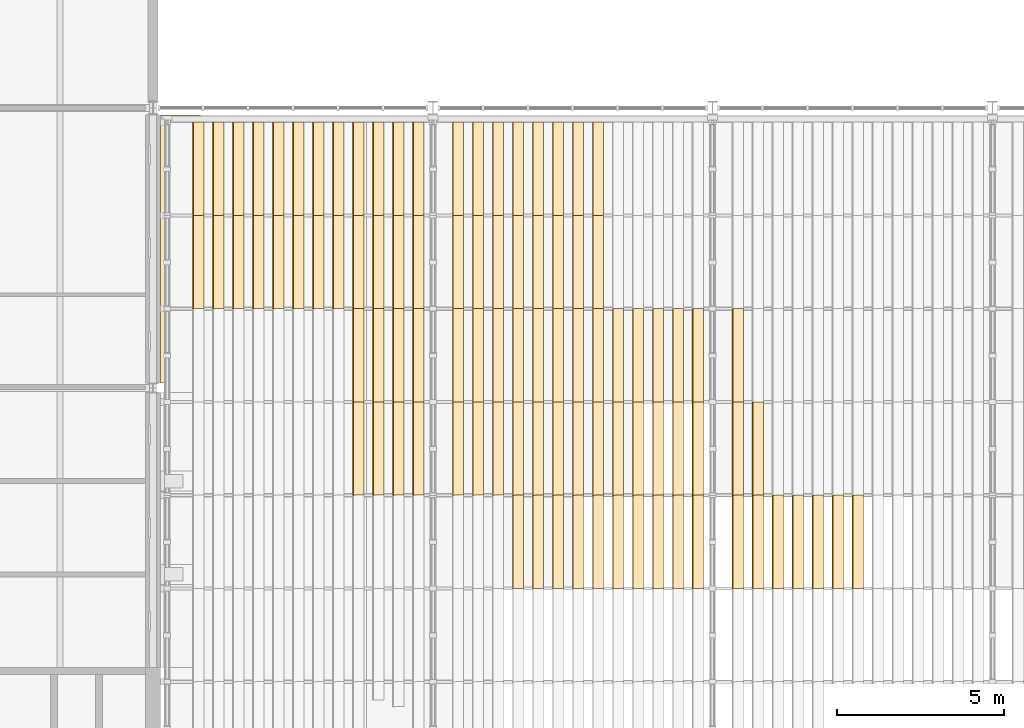
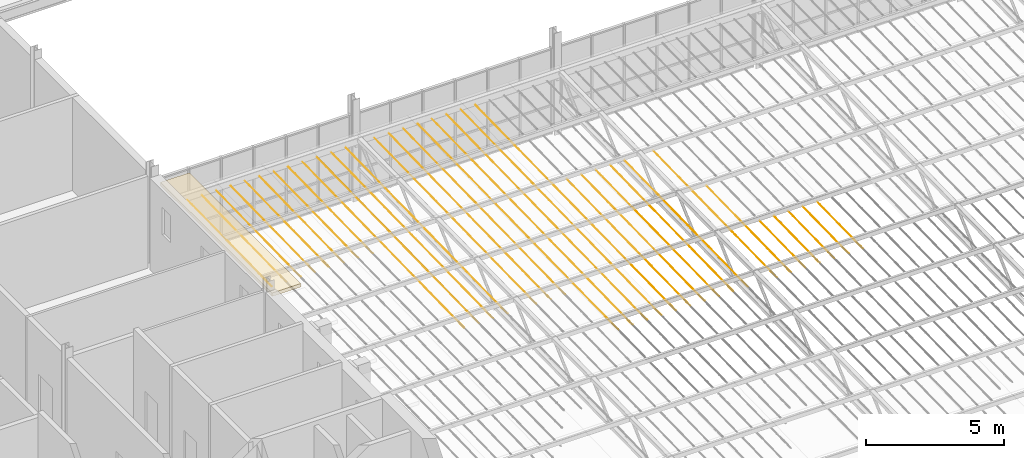
# One storey, part 118 of 129: 95 coverings.
"""IFC4 building model written with IfcOpenShell, lengths in metres."""

from ifc_helpers import new_model, si_unit, direction, frame, origin, origin_2d, place, context, subcontext, project, spatial, polyline, rectangle, outline, extrude, material, layer, layer_set, material_profile, profile_set, type_object, element, save


model = new_model("IFC4")

# Units and contexts
model_context = context("Model", 3, precision=1e-05, world=origin(), true_north=direction((0.0, 1.0)))
body_context = subcontext(model_context, "Body", "Model", "MODEL_VIEW")
ifc_project = project(units=[si_unit("LENGTHUNIT", "METRE"), si_unit("AREAUNIT", "SQUARE_METRE"), si_unit("VOLUMEUNIT", "CUBIC_METRE"), si_unit("PLANEANGLEUNIT", "RADIAN"), si_unit("MASSUNIT", "GRAM", prefix="KILO")], contexts=[model_context])

# Site, building, storey
site_placement = place(None, origin())
site = spatial("IfcSite", under=ifc_project, at=site_placement, CompositionType="ELEMENT")
building_placement = place(site_placement, origin())
building = spatial("IfcBuilding", under=site, at=building_placement, Name="Ardhachandra Cancer Care Centre", CompositionType="ELEMENT")
storey_placement = place(building_placement, frame((0.0, 0.0, 4.5)))
storey = spatial("IfcBuildingStorey", under=building, at=storey_placement, Name="L01", CompositionType="ELEMENT", Elevation=4.5)

# Coverings
ifc_material_1 = material(Name="Anodised aluminium", Category="aluminium")
ifc_material_profile = material_profile(ifc_material_1, outline(polyline([(-0.01220703125, 0.0), (0.01220703125, 0.0), (0.327392578125, -0.449951171875), (0.302978515625, -0.449951171875), (-0.01220703125, 0.0)])), Name="Louvre fin 450")
ifc_profile_set = profile_set([ifc_material_profile], Name="Anodised aluminium")
covering_type_1 = type_object("IfcCoveringType", Name="Louvre fin 450", PredefinedType="CLADDING", material=ifc_profile_set)
for number, where, z_axis, x_axis, name in (
    (1, (45.60009765625, 54.175048828125, 2.743408203125), (0.0, -0.999800721691, -0.019962888244), (1.0, 0.0, 0.0), "Louvre fin 2-1"),
    (2, (45.60009765625, 51.375, 2.6875), (0.0, -0.999800721691, -0.019962888244), (1.0, 0.0, 0.0), "Louvre fin 2-2"),
    (3, (46.199951171875, 54.175048828125, 2.743408203125), (0.0, -0.999800721691, -0.019962888244), (1.0, 0.0, 0.0), "Louvre fin 3-1"),
    (4, (46.199951171875, 51.375, 2.6875), (0.0, -0.999800721691, -0.019962888244), (1.0, 0.0, 0.0), "Louvre fin 3-2"),
    (5, (46.800048828125, 54.175048828125, 2.743408203125), (0.0, -0.999800721691, -0.019962888244), (1.0, 0.0, 0.0), "Louvre fin 4-1"),
    (6, (46.800048828125, 51.375, 2.6875), (0.0, -0.999800721691, -0.019962888244), (1.0, 0.0, 0.0), "Louvre fin 4-2"),
    (7, (47.39990234375, 54.175048828125, 2.743408203125), (0.0, -0.999800721691, -0.019962888244), (1.0, 0.0, 0.0), "Louvre fin 5-1"),
    (8, (47.39990234375, 51.375, 2.6875), (0.0, -0.999800721691, -0.019962888244), (1.0, 0.0, 0.0), "Louvre fin 5-2"),
    (9, (48.0, 54.175048828125, 2.743408203125), (0.0, -0.999800721691, -0.019962888244), (1.0, 0.0, 0.0), "Louvre fin 6-1"),
    (10, (48.0, 51.375, 2.6875), (0.0, -0.999800721691, -0.019962888244), (1.0, 0.0, 0.0), "Louvre fin 6-2"),
    (11, (48.60009765625, 54.175048828125, 2.743408203125), (0.0, -0.999800721691, -0.019962888244), (1.0, 0.0, 0.0), "Louvre fin 7-1"),
    (12, (48.60009765625, 51.375, 2.6875), (0.0, -0.999800721691, -0.019962888244), (1.0, 0.0, 0.0), "Louvre fin 7-2"),
    (13, (49.199951171875, 54.175048828125, 2.743408203125), (0.0, -0.999800721691, -0.019962888244), (1.0, 0.0, 0.0), "Louvre fin 8-1"),
    (14, (49.199951171875, 51.375, 2.6875), (0.0, -0.999800721691, -0.019962888244), (1.0, 0.0, 0.0), "Louvre fin 8-2"),
    (15, (49.800048828125, 54.175048828125, 2.743408203125), (0.0, -0.999800721691, -0.019962888244), (1.0, 0.0, 0.0), "Louvre fin 9-1"),
    (16, (49.800048828125, 51.375, 2.6875), (0.0, -0.999800721691, -0.019962888244), (1.0, 0.0, 0.0), "Louvre fin 9-2"),
    (17, (50.39990234375, 54.175048828125, 2.743408203125), (0.0, -0.999800721691, -0.019962888244), (1.0, 0.0, 0.0), "Louvre fin 10-1"),
    (18, (50.39990234375, 51.375, 2.6875), (0.0, -0.999800721691, -0.019962888244), (1.0, 0.0, 0.0), "Louvre fin 10-2"),
    (19, (50.39990234375, 48.574951171875, 2.631591796875), (0.0, -0.999798977995, -0.02005002746), (1.0, 0.0, 0.0), "Louvre fin 10-3"),
):
    element("IfcCovering", number, at=place(storey_placement, frame(where, z_axis=z_axis, x_axis=x_axis)), inside=storey, type_object=covering_type_1, Name=name, PredefinedType="CLADDING", context=body_context, shape_type="SweptSolid", body=[
        extrude(outline(polyline([(-0.01220703125, 0.0), (0.01220703125, 0.0), (0.327392578125, -0.449951171875), (0.302978515625, -0.449951171875), (-0.01220703125, 0.0)])), origin(), (0.0, 0.0, 1.0), 2.800537109375),
    ])
covering_1_placement = place(storey_placement, frame((50.39990234375, 45.77490234375, 2.575439453125), z_axis=(0.0, -0.999800686946, -0.019964628297), x_axis=(1.0, 0.0, 0.0)))
element("IfcCovering", 20, at=covering_1_placement, inside=storey, type_object=covering_type_1, Name="Louvre fin 10-4", PredefinedType="CLADDING", context=body_context, shape_type="SweptSolid", body=[
    extrude(outline(polyline([(-0.01220703125, 0.0), (0.01220703125, 0.0), (0.327392578125, -0.449951171875), (0.302978515625, -0.449951171875), (-0.01220703125, 0.0)])), origin(), (0.0, 0.0, 1.0), 2.80029296875),
])
for number, where, z_axis, x_axis, name in (
    (21, (51.0, 54.175048828125, 2.743408203125), (0.0, -0.999800721691, -0.019962888244), (1.0, 0.0, 0.0), "Louvre fin 11-1"),
    (22, (51.0, 51.375, 2.6875), (0.0, -0.999800721691, -0.019962888244), (1.0, 0.0, 0.0), "Louvre fin 11-2"),
    (23, (51.0, 48.574951171875, 2.631591796875), (0.0, -0.999798977995, -0.02005002746), (1.0, 0.0, 0.0), "Louvre fin 11-3"),
):
    element("IfcCovering", number, at=place(storey_placement, frame(where, z_axis=z_axis, x_axis=x_axis)), inside=storey, type_object=covering_type_1, Name=name, PredefinedType="CLADDING", context=body_context, shape_type="SweptSolid", body=[
        extrude(outline(polyline([(-0.01220703125, 0.0), (0.01220703125, 0.0), (0.327392578125, -0.449951171875), (0.302978515625, -0.449951171875), (-0.01220703125, 0.0)])), origin(), (0.0, 0.0, 1.0), 2.800537109375),
    ])
covering_2_placement = place(storey_placement, frame((51.0, 45.77490234375, 2.575439453125), z_axis=(0.0, -0.999800686946, -0.019964628297), x_axis=(1.0, 0.0, 0.0)))
element("IfcCovering", 24, at=covering_2_placement, inside=storey, type_object=covering_type_1, Name="Louvre fin 11-4", PredefinedType="CLADDING", context=body_context, shape_type="SweptSolid", body=[
    extrude(outline(polyline([(-0.01220703125, 0.0), (0.01220703125, 0.0), (0.327392578125, -0.449951171875), (0.302978515625, -0.449951171875), (-0.01220703125, 0.0)])), origin(), (0.0, 0.0, 1.0), 2.80029296875),
])
for number, where, z_axis, x_axis, name in (
    (25, (51.60009765625, 54.175048828125, 2.743408203125), (0.0, -0.999800721691, -0.019962888244), (1.0, 0.0, 0.0), "Louvre fin 12-1"),
    (26, (51.60009765625, 51.375, 2.6875), (0.0, -0.999800721691, -0.019962888244), (1.0, 0.0, 0.0), "Louvre fin 12-2"),
    (27, (51.60009765625, 48.574951171875, 2.631591796875), (0.0, -0.999798977995, -0.02005002746), (1.0, 0.0, 0.0), "Louvre fin 12-3"),
):
    element("IfcCovering", number, at=place(storey_placement, frame(where, z_axis=z_axis, x_axis=x_axis)), inside=storey, type_object=covering_type_1, Name=name, PredefinedType="CLADDING", context=body_context, shape_type="SweptSolid", body=[
        extrude(outline(polyline([(-0.01220703125, 0.0), (0.01220703125, 0.0), (0.327392578125, -0.449951171875), (0.302978515625, -0.449951171875), (-0.01220703125, 0.0)])), origin(), (0.0, 0.0, 1.0), 2.800537109375),
    ])
covering_3_placement = place(storey_placement, frame((51.60009765625, 45.77490234375, 2.575439453125), z_axis=(0.0, -0.999800686946, -0.019964628297), x_axis=(1.0, 0.0, 0.0)))
element("IfcCovering", 28, at=covering_3_placement, inside=storey, type_object=covering_type_1, Name="Louvre fin 12-4", PredefinedType="CLADDING", context=body_context, shape_type="SweptSolid", body=[
    extrude(outline(polyline([(-0.01220703125, 0.0), (0.01220703125, 0.0), (0.327392578125, -0.449951171875), (0.302978515625, -0.449951171875), (-0.01220703125, 0.0)])), origin(), (0.0, 0.0, 1.0), 2.80029296875),
])
for number, where, z_axis, x_axis, name in (
    (29, (52.199951171875, 54.175048828125, 2.743408203125), (0.0, -0.999800721691, -0.019962888244), (1.0, 0.0, 0.0), "Louvre fin 13-1"),
    (30, (52.199951171875, 51.375, 2.6875), (0.0, -0.999800721691, -0.019962888244), (1.0, 0.0, 0.0), "Louvre fin 13-2"),
    (31, (52.199951171875, 48.574951171875, 2.631591796875), (0.0, -0.999798977995, -0.02005002746), (1.0, 0.0, 0.0), "Louvre fin 13-3"),
):
    element("IfcCovering", number, at=place(storey_placement, frame(where, z_axis=z_axis, x_axis=x_axis)), inside=storey, type_object=covering_type_1, Name=name, PredefinedType="CLADDING", context=body_context, shape_type="SweptSolid", body=[
        extrude(outline(polyline([(-0.01220703125, 0.0), (0.01220703125, 0.0), (0.327392578125, -0.449951171875), (0.302978515625, -0.449951171875), (-0.01220703125, 0.0)])), origin(), (0.0, 0.0, 1.0), 2.800537109375),
    ])
covering_4_placement = place(storey_placement, frame((52.199951171875, 45.77490234375, 2.575439453125), z_axis=(0.0, -0.999800686946, -0.019964628297), x_axis=(1.0, 0.0, 0.0)))
element("IfcCovering", 32, at=covering_4_placement, inside=storey, type_object=covering_type_1, Name="Louvre fin 13-4", PredefinedType="CLADDING", context=body_context, shape_type="SweptSolid", body=[
    extrude(outline(polyline([(-0.01220703125, 0.0), (0.01220703125, 0.0), (0.327392578125, -0.449951171875), (0.302978515625, -0.449951171875), (-0.01220703125, 0.0)])), origin(), (0.0, 0.0, 1.0), 2.80029296875),
])
for number, where, z_axis, x_axis, name in (
    (33, (53.39990234375, 54.175048828125, 2.743408203125), (0.0, -0.999800721691, -0.019962888244), (1.0, 0.0, 0.0), "Louvre fin 15-1"),
    (34, (53.39990234375, 51.375, 2.6875), (0.0, -0.999800721691, -0.019962888244), (1.0, 0.0, 0.0), "Louvre fin 15-2"),
    (35, (53.39990234375, 48.574951171875, 2.631591796875), (0.0, -0.999798977995, -0.02005002746), (1.0, 0.0, 0.0), "Louvre fin 15-3"),
):
    element("IfcCovering", number, at=place(storey_placement, frame(where, z_axis=z_axis, x_axis=x_axis)), inside=storey, type_object=covering_type_1, Name=name, PredefinedType="CLADDING", context=body_context, shape_type="SweptSolid", body=[
        extrude(outline(polyline([(-0.01220703125, 0.0), (0.01220703125, 0.0), (0.327392578125, -0.449951171875), (0.302978515625, -0.449951171875), (-0.01220703125, 0.0)])), origin(), (0.0, 0.0, 1.0), 2.800537109375),
    ])
covering_5_placement = place(storey_placement, frame((53.39990234375, 45.77490234375, 2.575439453125), z_axis=(0.0, -0.999800686946, -0.019964628297), x_axis=(1.0, 0.0, 0.0)))
element("IfcCovering", 36, at=covering_5_placement, inside=storey, type_object=covering_type_1, Name="Louvre fin 15-4", PredefinedType="CLADDING", context=body_context, shape_type="SweptSolid", body=[
    extrude(outline(polyline([(-0.01220703125, 0.0), (0.01220703125, 0.0), (0.327392578125, -0.449951171875), (0.302978515625, -0.449951171875), (-0.01220703125, 0.0)])), origin(), (0.0, 0.0, 1.0), 2.80029296875),
])
for number, where, z_axis, x_axis, name in (
    (37, (54.0, 54.175048828125, 2.743408203125), (0.0, -0.999800721691, -0.019962888244), (1.0, 0.0, 0.0), "Louvre fin 16-1"),
    (38, (54.0, 51.375, 2.6875), (0.0, -0.999800721691, -0.019962888244), (1.0, 0.0, 0.0), "Louvre fin 16-2"),
    (39, (54.0, 48.574951171875, 2.631591796875), (0.0, -0.999798977995, -0.02005002746), (1.0, 0.0, 0.0), "Louvre fin 16-3"),
):
    element("IfcCovering", number, at=place(storey_placement, frame(where, z_axis=z_axis, x_axis=x_axis)), inside=storey, type_object=covering_type_1, Name=name, PredefinedType="CLADDING", context=body_context, shape_type="SweptSolid", body=[
        extrude(outline(polyline([(-0.01220703125, 0.0), (0.01220703125, 0.0), (0.327392578125, -0.449951171875), (0.302978515625, -0.449951171875), (-0.01220703125, 0.0)])), origin(), (0.0, 0.0, 1.0), 2.800537109375),
    ])
covering_6_placement = place(storey_placement, frame((54.0, 45.77490234375, 2.575439453125), z_axis=(0.0, -0.999800686946, -0.019964628297), x_axis=(1.0, 0.0, 0.0)))
element("IfcCovering", 40, at=covering_6_placement, inside=storey, type_object=covering_type_1, Name="Louvre fin 16-4", PredefinedType="CLADDING", context=body_context, shape_type="SweptSolid", body=[
    extrude(outline(polyline([(-0.01220703125, 0.0), (0.01220703125, 0.0), (0.327392578125, -0.449951171875), (0.302978515625, -0.449951171875), (-0.01220703125, 0.0)])), origin(), (0.0, 0.0, 1.0), 2.80029296875),
])
for number, where, z_axis, x_axis, name in (
    (41, (54.60009765625, 54.175048828125, 2.743408203125), (0.0, -0.999800721691, -0.019962888244), (1.0, 0.0, 0.0), "Louvre fin 17-1"),
    (42, (54.60009765625, 51.375, 2.6875), (0.0, -0.999800721691, -0.019962888244), (1.0, 0.0, 0.0), "Louvre fin 17-2"),
    (43, (54.60009765625, 48.574951171875, 2.631591796875), (0.0, -0.999798977995, -0.02005002746), (1.0, 0.0, 0.0), "Louvre fin 17-3"),
):
    element("IfcCovering", number, at=place(storey_placement, frame(where, z_axis=z_axis, x_axis=x_axis)), inside=storey, type_object=covering_type_1, Name=name, PredefinedType="CLADDING", context=body_context, shape_type="SweptSolid", body=[
        extrude(outline(polyline([(-0.01220703125, 0.0), (0.01220703125, 0.0), (0.327392578125, -0.449951171875), (0.302978515625, -0.449951171875), (-0.01220703125, 0.0)])), origin(), (0.0, 0.0, 1.0), 2.800537109375),
    ])
covering_7_placement = place(storey_placement, frame((54.60009765625, 45.77490234375, 2.575439453125), z_axis=(0.0, -0.999800686946, -0.019964628297), x_axis=(1.0, 0.0, 0.0)))
element("IfcCovering", 44, at=covering_7_placement, inside=storey, type_object=covering_type_1, Name="Louvre fin 17-4", PredefinedType="CLADDING", context=body_context, shape_type="SweptSolid", body=[
    extrude(outline(polyline([(-0.01220703125, 0.0), (0.01220703125, 0.0), (0.327392578125, -0.449951171875), (0.302978515625, -0.449951171875), (-0.01220703125, 0.0)])), origin(), (0.0, 0.0, 1.0), 2.80029296875),
])
for number, where, z_axis, x_axis, name in (
    (45, (55.199951171875, 54.175048828125, 2.743408203125), (0.0, -0.999800721691, -0.019962888244), (1.0, 0.0, 0.0), "Louvre fin 18-1"),
    (46, (55.199951171875, 51.375, 2.6875), (0.0, -0.999800721691, -0.019962888244), (1.0, 0.0, 0.0), "Louvre fin 18-2"),
    (47, (55.199951171875, 48.574951171875, 2.631591796875), (0.0, -0.999798977995, -0.02005002746), (1.0, 0.0, 0.0), "Louvre fin 18-3"),
):
    element("IfcCovering", number, at=place(storey_placement, frame(where, z_axis=z_axis, x_axis=x_axis)), inside=storey, type_object=covering_type_1, Name=name, PredefinedType="CLADDING", context=body_context, shape_type="SweptSolid", body=[
        extrude(outline(polyline([(-0.01220703125, 0.0), (0.01220703125, 0.0), (0.327392578125, -0.449951171875), (0.302978515625, -0.449951171875), (-0.01220703125, 0.0)])), origin(), (0.0, 0.0, 1.0), 2.800537109375),
    ])
covering_8_placement = place(storey_placement, frame((55.199951171875, 45.77490234375, 2.575439453125), z_axis=(0.0, -0.999800686946, -0.019964628297), x_axis=(1.0, 0.0, 0.0)))
element("IfcCovering", 48, at=covering_8_placement, inside=storey, type_object=covering_type_1, Name="Louvre fin 18-4", PredefinedType="CLADDING", context=body_context, shape_type="SweptSolid", body=[
    extrude(outline(polyline([(-0.01220703125, 0.0), (0.01220703125, 0.0), (0.327392578125, -0.449951171875), (0.302978515625, -0.449951171875), (-0.01220703125, 0.0)])), origin(), (0.0, 0.0, 1.0), 2.80029296875),
])
for number, where, z_axis, x_axis, name in (
    (49, (55.199951171875, 42.97509765625, 2.51953125), (0.0, -0.999798977995, -0.02005002746), (1.0, 0.0, 0.0), "Louvre fin 18-5"),
    (50, (55.800048828125, 54.175048828125, 2.743408203125), (0.0, -0.999800721691, -0.019962888244), (1.0, 0.0, 0.0), "Louvre fin 19-1"),
    (51, (55.800048828125, 51.375, 2.6875), (0.0, -0.999800721691, -0.019962888244), (1.0, 0.0, 0.0), "Louvre fin 19-2"),
    (52, (55.800048828125, 48.574951171875, 2.631591796875), (0.0, -0.999798977995, -0.02005002746), (1.0, 0.0, 0.0), "Louvre fin 19-3"),
):
    element("IfcCovering", number, at=place(storey_placement, frame(where, z_axis=z_axis, x_axis=x_axis)), inside=storey, type_object=covering_type_1, Name=name, PredefinedType="CLADDING", context=body_context, shape_type="SweptSolid", body=[
        extrude(outline(polyline([(-0.01220703125, 0.0), (0.01220703125, 0.0), (0.327392578125, -0.449951171875), (0.302978515625, -0.449951171875), (-0.01220703125, 0.0)])), origin(), (0.0, 0.0, 1.0), 2.800537109375),
    ])
covering_9_placement = place(storey_placement, frame((55.800048828125, 45.77490234375, 2.575439453125), z_axis=(0.0, -0.999800686946, -0.019964628297), x_axis=(1.0, 0.0, 0.0)))
element("IfcCovering", 53, at=covering_9_placement, inside=storey, type_object=covering_type_1, Name="Louvre fin 19-4", PredefinedType="CLADDING", context=body_context, shape_type="SweptSolid", body=[
    extrude(outline(polyline([(-0.01220703125, 0.0), (0.01220703125, 0.0), (0.327392578125, -0.449951171875), (0.302978515625, -0.449951171875), (-0.01220703125, 0.0)])), origin(), (0.0, 0.0, 1.0), 2.80029296875),
])
for number, where, z_axis, x_axis, name in (
    (54, (55.800048828125, 42.97509765625, 2.51953125), (0.0, -0.999798977995, -0.02005002746), (1.0, 0.0, 0.0), "Louvre fin 19-5"),
    (55, (56.39990234375, 54.175048828125, 2.743408203125), (0.0, -0.999800721691, -0.019962888244), (1.0, 0.0, 0.0), "Louvre fin 20-1"),
    (56, (56.39990234375, 51.375, 2.6875), (0.0, -0.999800721691, -0.019962888244), (1.0, 0.0, 0.0), "Louvre fin 20-2"),
    (57, (56.39990234375, 48.574951171875, 2.631591796875), (0.0, -0.999798977995, -0.02005002746), (1.0, 0.0, 0.0), "Louvre fin 20-3"),
):
    element("IfcCovering", number, at=place(storey_placement, frame(where, z_axis=z_axis, x_axis=x_axis)), inside=storey, type_object=covering_type_1, Name=name, PredefinedType="CLADDING", context=body_context, shape_type="SweptSolid", body=[
        extrude(outline(polyline([(-0.01220703125, 0.0), (0.01220703125, 0.0), (0.327392578125, -0.449951171875), (0.302978515625, -0.449951171875), (-0.01220703125, 0.0)])), origin(), (0.0, 0.0, 1.0), 2.800537109375),
    ])
covering_10_placement = place(storey_placement, frame((56.39990234375, 45.77490234375, 2.575439453125), z_axis=(0.0, -0.999800686946, -0.019964628297), x_axis=(1.0, 0.0, 0.0)))
element("IfcCovering", 58, at=covering_10_placement, inside=storey, type_object=covering_type_1, Name="Louvre fin 20-4", PredefinedType="CLADDING", context=body_context, shape_type="SweptSolid", body=[
    extrude(outline(polyline([(-0.01220703125, 0.0), (0.01220703125, 0.0), (0.327392578125, -0.449951171875), (0.302978515625, -0.449951171875), (-0.01220703125, 0.0)])), origin(), (0.0, 0.0, 1.0), 2.80029296875),
])
for number, where, z_axis, x_axis, name in (
    (59, (56.39990234375, 42.97509765625, 2.51953125), (0.0, -0.999798977995, -0.02005002746), (1.0, 0.0, 0.0), "Louvre fin 20-5"),
    (60, (57.0, 54.175048828125, 2.743408203125), (0.0, -0.999800721691, -0.019962888244), (1.0, 0.0, 0.0), "Louvre fin 21-1"),
    (61, (57.0, 51.375, 2.6875), (0.0, -0.999800721691, -0.019962888244), (1.0, 0.0, 0.0), "Louvre fin 21-2"),
    (62, (57.0, 48.574951171875, 2.631591796875), (0.0, -0.999798977995, -0.02005002746), (1.0, 0.0, 0.0), "Louvre fin 21-3"),
):
    element("IfcCovering", number, at=place(storey_placement, frame(where, z_axis=z_axis, x_axis=x_axis)), inside=storey, type_object=covering_type_1, Name=name, PredefinedType="CLADDING", context=body_context, shape_type="SweptSolid", body=[
        extrude(outline(polyline([(-0.01220703125, 0.0), (0.01220703125, 0.0), (0.327392578125, -0.449951171875), (0.302978515625, -0.449951171875), (-0.01220703125, 0.0)])), origin(), (0.0, 0.0, 1.0), 2.800537109375),
    ])
covering_11_placement = place(storey_placement, frame((57.0, 45.77490234375, 2.575439453125), z_axis=(0.0, -0.999800686946, -0.019964628297), x_axis=(1.0, 0.0, 0.0)))
element("IfcCovering", 63, at=covering_11_placement, inside=storey, type_object=covering_type_1, Name="Louvre fin 21-4", PredefinedType="CLADDING", context=body_context, shape_type="SweptSolid", body=[
    extrude(outline(polyline([(-0.01220703125, 0.0), (0.01220703125, 0.0), (0.327392578125, -0.449951171875), (0.302978515625, -0.449951171875), (-0.01220703125, 0.0)])), origin(), (0.0, 0.0, 1.0), 2.80029296875),
])
for number, where, z_axis, x_axis, name in (
    (64, (57.0, 42.97509765625, 2.51953125), (0.0, -0.999798977995, -0.02005002746), (1.0, 0.0, 0.0), "Louvre fin 21-5"),
    (65, (57.60009765625, 54.175048828125, 2.743408203125), (0.0, -0.999800721691, -0.019962888244), (1.0, 0.0, 0.0), "Louvre fin 22-1"),
    (66, (57.60009765625, 51.375, 2.6875), (0.0, -0.999800721691, -0.019962888244), (1.0, 0.0, 0.0), "Louvre fin 22-2"),
    (67, (57.60009765625, 48.574951171875, 2.631591796875), (0.0, -0.999798977995, -0.02005002746), (1.0, 0.0, 0.0), "Louvre fin 22-3"),
):
    element("IfcCovering", number, at=place(storey_placement, frame(where, z_axis=z_axis, x_axis=x_axis)), inside=storey, type_object=covering_type_1, Name=name, PredefinedType="CLADDING", context=body_context, shape_type="SweptSolid", body=[
        extrude(outline(polyline([(-0.01220703125, 0.0), (0.01220703125, 0.0), (0.327392578125, -0.449951171875), (0.302978515625, -0.449951171875), (-0.01220703125, 0.0)])), origin(), (0.0, 0.0, 1.0), 2.800537109375),
    ])
covering_12_placement = place(storey_placement, frame((57.60009765625, 45.77490234375, 2.575439453125), z_axis=(0.0, -0.999800686946, -0.019964628297), x_axis=(1.0, 0.0, 0.0)))
element("IfcCovering", 68, at=covering_12_placement, inside=storey, type_object=covering_type_1, Name="Louvre fin 22-4", PredefinedType="CLADDING", context=body_context, shape_type="SweptSolid", body=[
    extrude(outline(polyline([(-0.01220703125, 0.0), (0.01220703125, 0.0), (0.327392578125, -0.449951171875), (0.302978515625, -0.449951171875), (-0.01220703125, 0.0)])), origin(), (0.0, 0.0, 1.0), 2.80029296875),
])
for number, where, z_axis, x_axis, name in (
    (69, (57.60009765625, 42.97509765625, 2.51953125), (0.0, -0.999798977995, -0.02005002746), (1.0, 0.0, 0.0), "Louvre fin 22-5"),
    (70, (58.199951171875, 48.574951171875, 2.631591796875), (0.0, -0.999798977995, -0.02005002746), (1.0, 0.0, 0.0), "Louvre fin 23-3"),
):
    element("IfcCovering", number, at=place(storey_placement, frame(where, z_axis=z_axis, x_axis=x_axis)), inside=storey, type_object=covering_type_1, Name=name, PredefinedType="CLADDING", context=body_context, shape_type="SweptSolid", body=[
        extrude(outline(polyline([(-0.01220703125, 0.0), (0.01220703125, 0.0), (0.327392578125, -0.449951171875), (0.302978515625, -0.449951171875), (-0.01220703125, 0.0)])), origin(), (0.0, 0.0, 1.0), 2.800537109375),
    ])
covering_13_placement = place(storey_placement, frame((58.199951171875, 45.77490234375, 2.575439453125), z_axis=(0.0, -0.999800686946, -0.019964628297), x_axis=(1.0, 0.0, 0.0)))
element("IfcCovering", 71, at=covering_13_placement, inside=storey, type_object=covering_type_1, Name="Louvre fin 23-4", PredefinedType="CLADDING", context=body_context, shape_type="SweptSolid", body=[
    extrude(outline(polyline([(-0.01220703125, 0.0), (0.01220703125, 0.0), (0.327392578125, -0.449951171875), (0.302978515625, -0.449951171875), (-0.01220703125, 0.0)])), origin(), (0.0, 0.0, 1.0), 2.80029296875),
])
for number, where, z_axis, x_axis, name in (
    (72, (58.199951171875, 42.97509765625, 2.51953125), (0.0, -0.999798977995, -0.02005002746), (1.0, 0.0, 0.0), "Louvre fin 23-5"),
    (73, (58.800048828125, 48.574951171875, 2.631591796875), (0.0, -0.999798977995, -0.02005002746), (1.0, 0.0, 0.0), "Louvre fin 24-3"),
):
    element("IfcCovering", number, at=place(storey_placement, frame(where, z_axis=z_axis, x_axis=x_axis)), inside=storey, type_object=covering_type_1, Name=name, PredefinedType="CLADDING", context=body_context, shape_type="SweptSolid", body=[
        extrude(outline(polyline([(-0.01220703125, 0.0), (0.01220703125, 0.0), (0.327392578125, -0.449951171875), (0.302978515625, -0.449951171875), (-0.01220703125, 0.0)])), origin(), (0.0, 0.0, 1.0), 2.800537109375),
    ])
covering_14_placement = place(storey_placement, frame((58.800048828125, 45.77490234375, 2.575439453125), z_axis=(0.0, -0.999800686946, -0.019964628297), x_axis=(1.0, 0.0, 0.0)))
element("IfcCovering", 74, at=covering_14_placement, inside=storey, type_object=covering_type_1, Name="Louvre fin 24-4", PredefinedType="CLADDING", context=body_context, shape_type="SweptSolid", body=[
    extrude(outline(polyline([(-0.01220703125, 0.0), (0.01220703125, 0.0), (0.327392578125, -0.449951171875), (0.302978515625, -0.449951171875), (-0.01220703125, 0.0)])), origin(), (0.0, 0.0, 1.0), 2.80029296875),
])
for number, where, z_axis, x_axis, name in (
    (75, (58.800048828125, 42.97509765625, 2.51953125), (0.0, -0.999798977995, -0.02005002746), (1.0, 0.0, 0.0), "Louvre fin 24-5"),
    (76, (59.39990234375, 48.574951171875, 2.631591796875), (0.0, -0.999798977995, -0.02005002746), (1.0, 0.0, 0.0), "Louvre fin 25-3"),
):
    element("IfcCovering", number, at=place(storey_placement, frame(where, z_axis=z_axis, x_axis=x_axis)), inside=storey, type_object=covering_type_1, Name=name, PredefinedType="CLADDING", context=body_context, shape_type="SweptSolid", body=[
        extrude(outline(polyline([(-0.01220703125, 0.0), (0.01220703125, 0.0), (0.327392578125, -0.449951171875), (0.302978515625, -0.449951171875), (-0.01220703125, 0.0)])), origin(), (0.0, 0.0, 1.0), 2.800537109375),
    ])
covering_15_placement = place(storey_placement, frame((59.39990234375, 45.77490234375, 2.575439453125), z_axis=(0.0, -0.999800686946, -0.019964628297), x_axis=(1.0, 0.0, 0.0)))
element("IfcCovering", 77, at=covering_15_placement, inside=storey, type_object=covering_type_1, Name="Louvre fin 25-4", PredefinedType="CLADDING", context=body_context, shape_type="SweptSolid", body=[
    extrude(outline(polyline([(-0.01220703125, 0.0), (0.01220703125, 0.0), (0.327392578125, -0.449951171875), (0.302978515625, -0.449951171875), (-0.01220703125, 0.0)])), origin(), (0.0, 0.0, 1.0), 2.80029296875),
])
for number, where, z_axis, x_axis, name in (
    (78, (59.39990234375, 42.97509765625, 2.51953125), (0.0, -0.999798977995, -0.02005002746), (1.0, 0.0, 0.0), "Louvre fin 25-5"),
    (79, (60.0, 48.574951171875, 2.631591796875), (0.0, -0.999798977995, -0.02005002746), (1.0, 0.0, 0.0), "Louvre fin 26-3"),
):
    element("IfcCovering", number, at=place(storey_placement, frame(where, z_axis=z_axis, x_axis=x_axis)), inside=storey, type_object=covering_type_1, Name=name, PredefinedType="CLADDING", context=body_context, shape_type="SweptSolid", body=[
        extrude(outline(polyline([(-0.01220703125, 0.0), (0.01220703125, 0.0), (0.327392578125, -0.449951171875), (0.302978515625, -0.449951171875), (-0.01220703125, 0.0)])), origin(), (0.0, 0.0, 1.0), 2.800537109375),
    ])
covering_16_placement = place(storey_placement, frame((60.0, 45.77490234375, 2.575439453125), z_axis=(0.0, -0.999800686946, -0.019964628297), x_axis=(1.0, 0.0, 0.0)))
element("IfcCovering", 80, at=covering_16_placement, inside=storey, type_object=covering_type_1, Name="Louvre fin 26-4", PredefinedType="CLADDING", context=body_context, shape_type="SweptSolid", body=[
    extrude(outline(polyline([(-0.01220703125, 0.0), (0.01220703125, 0.0), (0.327392578125, -0.449951171875), (0.302978515625, -0.449951171875), (-0.01220703125, 0.0)])), origin(), (0.0, 0.0, 1.0), 2.80029296875),
])
for number, where, z_axis, x_axis, name in (
    (81, (60.0, 42.97509765625, 2.51953125), (0.0, -0.999798977995, -0.02005002746), (1.0, 0.0, 0.0), "Louvre fin 26-5"),
    (82, (60.60009765625, 48.574951171875, 2.631591796875), (0.0, -0.999798977995, -0.02005002746), (1.0, 0.0, 0.0), "Louvre fin 27-3"),
):
    element("IfcCovering", number, at=place(storey_placement, frame(where, z_axis=z_axis, x_axis=x_axis)), inside=storey, type_object=covering_type_1, Name=name, PredefinedType="CLADDING", context=body_context, shape_type="SweptSolid", body=[
        extrude(outline(polyline([(-0.01220703125, 0.0), (0.01220703125, 0.0), (0.327392578125, -0.449951171875), (0.302978515625, -0.449951171875), (-0.01220703125, 0.0)])), origin(), (0.0, 0.0, 1.0), 2.800537109375),
    ])
covering_17_placement = place(storey_placement, frame((60.60009765625, 45.77490234375, 2.575439453125), z_axis=(0.0, -0.999800686946, -0.019964628297), x_axis=(1.0, 0.0, 0.0)))
element("IfcCovering", 83, at=covering_17_placement, inside=storey, type_object=covering_type_1, Name="Louvre fin 27-4", PredefinedType="CLADDING", context=body_context, shape_type="SweptSolid", body=[
    extrude(outline(polyline([(-0.01220703125, 0.0), (0.01220703125, 0.0), (0.327392578125, -0.449951171875), (0.302978515625, -0.449951171875), (-0.01220703125, 0.0)])), origin(), (0.0, 0.0, 1.0), 2.80029296875),
])
for number, where, z_axis, x_axis, name in (
    (84, (60.60009765625, 42.97509765625, 2.51953125), (0.0, -0.999798977995, -0.02005002746), (1.0, 0.0, 0.0), "Louvre fin 27-5"),
    (85, (61.800048828125, 48.574951171875, 2.631591796875), (0.0, -0.999798977995, -0.02005002746), (1.0, 0.0, 0.0), "Louvre fin 29-3"),
):
    element("IfcCovering", number, at=place(storey_placement, frame(where, z_axis=z_axis, x_axis=x_axis)), inside=storey, type_object=covering_type_1, Name=name, PredefinedType="CLADDING", context=body_context, shape_type="SweptSolid", body=[
        extrude(outline(polyline([(-0.01220703125, 0.0), (0.01220703125, 0.0), (0.327392578125, -0.449951171875), (0.302978515625, -0.449951171875), (-0.01220703125, 0.0)])), origin(), (0.0, 0.0, 1.0), 2.800537109375),
    ])
covering_18_placement = place(storey_placement, frame((61.800048828125, 45.77490234375, 2.575439453125), z_axis=(0.0, -0.999800686946, -0.019964628297), x_axis=(1.0, 0.0, 0.0)))
element("IfcCovering", 86, at=covering_18_placement, inside=storey, type_object=covering_type_1, Name="Louvre fin 29-4", PredefinedType="CLADDING", context=body_context, shape_type="SweptSolid", body=[
    extrude(outline(polyline([(-0.01220703125, 0.0), (0.01220703125, 0.0), (0.327392578125, -0.449951171875), (0.302978515625, -0.449951171875), (-0.01220703125, 0.0)])), origin(), (0.0, 0.0, 1.0), 2.80029296875),
])
covering_19_placement = place(storey_placement, frame((61.800048828125, 42.97509765625, 2.51953125), z_axis=(0.0, -0.999798977995, -0.02005002746), x_axis=(1.0, 0.0, 0.0)))
element("IfcCovering", 87, at=covering_19_placement, inside=storey, type_object=covering_type_1, Name="Louvre fin 29-5", PredefinedType="CLADDING", context=body_context, shape_type="SweptSolid", body=[
    extrude(outline(polyline([(-0.01220703125, 0.0), (0.01220703125, 0.0), (0.327392578125, -0.449951171875), (0.302978515625, -0.449951171875), (-0.01220703125, 0.0)])), origin(), (0.0, 0.0, 1.0), 2.800537109375),
])
covering_20_placement = place(storey_placement, frame((62.39990234375, 45.77490234375, 2.575439453125), z_axis=(0.0, -0.999800686946, -0.019964628297), x_axis=(1.0, 0.0, 0.0)))
element("IfcCovering", 88, at=covering_20_placement, inside=storey, type_object=covering_type_1, Name="Louvre fin 30-4", PredefinedType="CLADDING", context=body_context, shape_type="SweptSolid", body=[
    extrude(outline(polyline([(-0.01220703125, 0.0), (0.01220703125, 0.0), (0.327392578125, -0.449951171875), (0.302978515625, -0.449951171875), (-0.01220703125, 0.0)])), origin(), (0.0, 0.0, 1.0), 2.80029296875),
])
for number, where, z_axis, x_axis, name in (
    (89, (62.39990234375, 42.97509765625, 2.51953125), (0.0, -0.999798977995, -0.02005002746), (1.0, 0.0, 0.0), "Louvre fin 30-5"),
    (90, (63.0, 42.97509765625, 2.51953125), (0.0, -0.999798977995, -0.02005002746), (1.0, 0.0, 0.0), "Louvre fin 31-5"),
    (91, (63.60009765625, 42.97509765625, 2.51953125), (0.0, -0.999798977995, -0.02005002746), (1.0, 0.0, 0.0), "Louvre fin 32-5"),
    (92, (64.199951171875, 42.97509765625, 2.51953125), (0.0, -0.999798977995, -0.02005002746), (1.0, 0.0, 0.0), "Louvre fin 33-5"),
    (93, (64.800048828125, 42.97509765625, 2.51953125), (0.0, -0.999798977995, -0.02005002746), (1.0, 0.0, 0.0), "Louvre fin 34-5"),
    (94, (65.39990234375, 42.97509765625, 2.51953125), (0.0, -0.999798977995, -0.02005002746), (1.0, 0.0, 0.0), "Louvre fin 35-5"),
):
    element("IfcCovering", number, at=place(storey_placement, frame(where, z_axis=z_axis, x_axis=x_axis)), inside=storey, type_object=covering_type_1, Name=name, PredefinedType="CLADDING", context=body_context, shape_type="SweptSolid", body=[
        extrude(outline(polyline([(-0.01220703125, 0.0), (0.01220703125, 0.0), (0.327392578125, -0.449951171875), (0.302978515625, -0.449951171875), (-0.01220703125, 0.0)])), origin(), (0.0, 0.0, 1.0), 2.800537109375),
    ])
ifc_material_2 = material(Name="Precast Concrete M25", Category="concrete")
ifc_layer = layer(ifc_material_2, 0.14990234375)
ifc_layer_set = layer_set([ifc_layer], Name="Precast Concrete M25")
covering_type_2 = type_object("IfcCoveringType", Name="Precast sunshade band 1200 x 150", PredefinedType="CLADDING", material=ifc_layer_set)
covering_21_placement = place(storey_placement, frame((45.22509765625, 50.37255859375, 3.550048828125), z_axis=(0.0, 0.0, 1.0), x_axis=(0.0, 1.0, 0.0)))
element("IfcCovering", 95, at=covering_21_placement, inside=storey, type_object=covering_type_2, Name="Sunshade band L01 L01/e/0044400_0046200 1", PredefinedType="CLADDING", context=body_context, shape_type="SweptSolid", body=[
    extrude(rectangle(XDim=8.054931640625, YDim=1.199951171875, at=origin_2d()), origin(), (0.0, 0.0, 1.0), 0.14990234375),
])

save(model, "model.ifc")
